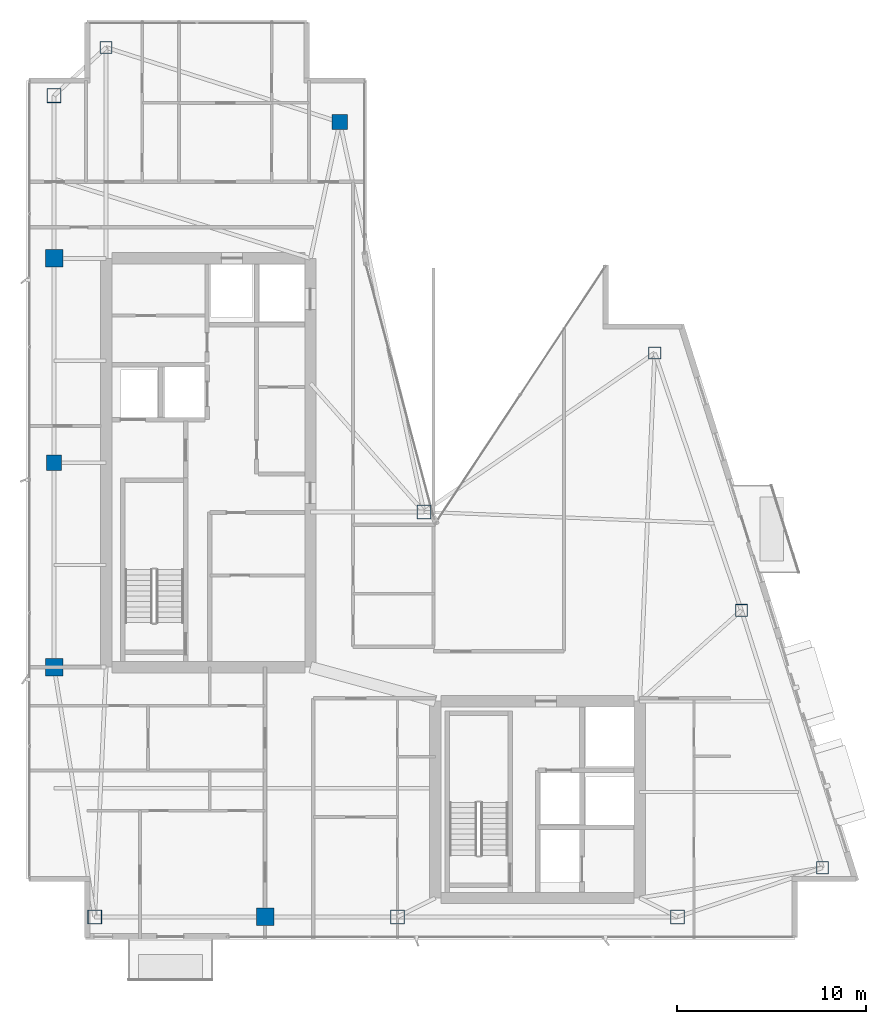
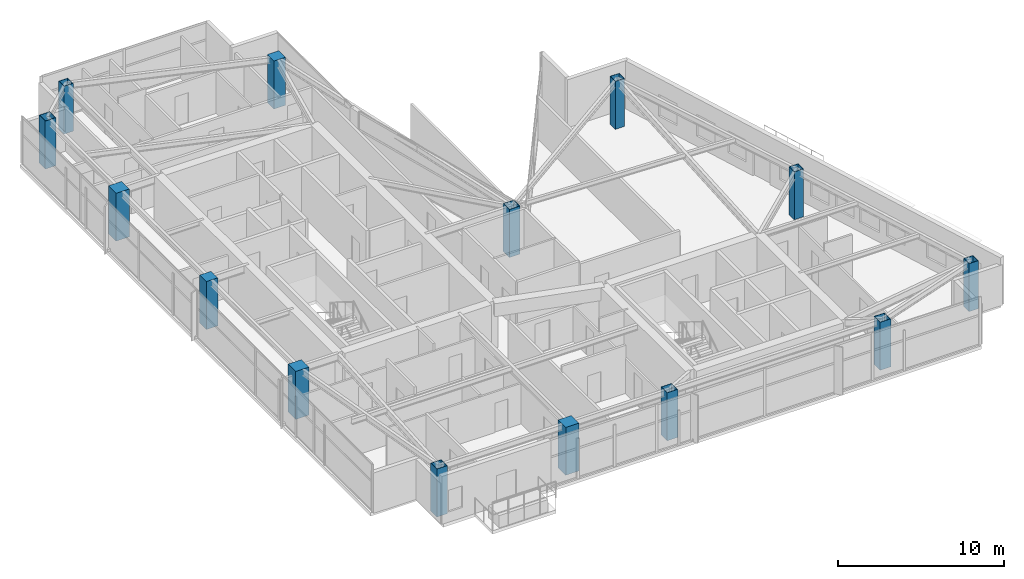
# One storey, part 1 of 27: 14 columns.
"""IFC4 building model written with IfcOpenShell, lengths in metres."""

from ifc_helpers import new_model, si_unit, direction, frame, origin, origin_2d, place, context, subcontext, project, spatial, rectangle, hollow_rectangle, extrude, material, material_profile, profile_set, type_object, element, save


model = new_model("IFC4")

# Units and contexts
model_context = context("Model", 3, precision=1e-05, world=origin(), true_north=direction((0.0, 1.0)))
body_context = subcontext(model_context, "Body", "Model", "MODEL_VIEW")
ifc_project = project(units=[si_unit("LENGTHUNIT", "METRE"), si_unit("AREAUNIT", "SQUARE_METRE"), si_unit("VOLUMEUNIT", "CUBIC_METRE"), si_unit("PLANEANGLEUNIT", "RADIAN"), si_unit("MASSUNIT", "GRAM", prefix="KILO")], contexts=[model_context])

# Site, building, storey
site_placement = place(None, origin())
site = spatial("IfcSite", under=ifc_project, at=site_placement, CompositionType="ELEMENT")
building_placement = place(site_placement, origin())
building = spatial("IfcBuilding", under=site, at=building_placement, Name="Calvorn Quay Hotel", CompositionType="ELEMENT")
storey_placement = place(building_placement, frame((0.0, 0.0, 278.699951171875)))
storey = spatial("IfcBuildingStorey", under=building, at=storey_placement, Name="L69", CompositionType="ELEMENT", Elevation=278.699951171875)

# Columns
ifc_material_1 = material(Name="Concrete C45", Category="concrete")
ifc_material_profile_1 = material_profile(ifc_material_1, rectangle(XDim=0.800048828125, YDim=0.800048828125, at=origin_2d()), Name="RC800x800")
ifc_profile_set_1 = profile_set([ifc_material_profile_1], Name="Concrete C45")
column_type_1 = type_object("IfcColumnType", Name="COL-RC-800", PredefinedType="COLUMN", material=ifc_profile_set_1)
for number, where, z_axis, x_axis, name in (
    (1, (1.449951171875, 27.60009765625, 0.0), (0.0, 0.0, 1.0), (1.0, 0.0, 0.0), "Column C-W3 (L69)"),
    (2, (16.550048828125, 45.60009765625, 0.0), (0.0, 0.0, 1.0), (1.0, 0.0, 0.0), "Column C-IC1 (L69)"),
):
    element("IfcColumn", number, at=place(storey_placement, frame(where, z_axis=z_axis, x_axis=x_axis)), inside=storey, type_object=column_type_1, Name=name, PredefinedType="COLUMN", context=body_context, shape_type="SweptSolid", body=[
        extrude(rectangle(XDim=0.800048828125, YDim=0.800048828125, at=origin_2d()), origin(), (0.0, 0.0, 1.0), 3.52001953125),
    ])
ifc_material_2 = material(Name="Concrete C45", Category="concrete")
ifc_material_profile_2 = material_profile(ifc_material_2, rectangle(XDim=0.919921875, YDim=0.919921875, at=origin_2d()), Name="RC920x920")
ifc_profile_set_2 = profile_set([ifc_material_profile_2], Name="Concrete C45")
column_type_2 = type_object("IfcColumnType", Name="COL-RC-920", PredefinedType="COLUMN", material=ifc_profile_set_2)
for number, where, z_axis, x_axis, name in (
    (3, (1.449951171875, 16.800048828125, 0.0), (0.0, 0.0, 1.0), (1.0, 0.0, 0.0), "Column C-W2 (L69)"),
    (4, (1.449951171875, 38.39990234375, 0.0), (0.0, 0.0, 1.0), (1.0, 0.0, 0.0), "Column C-W4 (L69)"),
    (5, (12.60009765625, 3.60009765625, 0.0), (0.0, 0.0, 1.0), (1.0, 0.0, 0.0), "Column C-S1 (L69)"),
):
    element("IfcColumn", number, at=place(storey_placement, frame(where, z_axis=z_axis, x_axis=x_axis)), inside=storey, type_object=column_type_2, Name=name, PredefinedType="COLUMN", context=body_context, shape_type="SweptSolid", body=[
        extrude(rectangle(XDim=0.919921875, YDim=0.919921875, at=origin_2d()), origin(), (0.0, 0.0, 1.0), 3.52001953125),
    ])
ifc_material_3 = material(Name="Steel Q390GJC", Category="steel")
ifc_material_profile_3 = material_profile(ifc_material_3, hollow_rectangle(XDim=0.75, YDim=0.75, WallThickness=0.031982421875, at=origin_2d()), Name="BOX750x750x32")
ifc_profile_set_3 = profile_set([ifc_material_profile_3], Name="Steel Q390GJC")
column_type_3 = type_object("IfcColumnType", Name="COL-STL-Z3", PredefinedType="COLUMN", material=ifc_profile_set_3)
for number, where, z_axis, x_axis, name in (
    (6, (3.60009765625, 3.60009765625, 0.0), (0.0, 0.0, 1.0), (1.0, 0.0, 0.0), "Column C-W1 (L69)"),
    (7, (1.449951171875, 47.0, 0.0), (0.0, 0.0, 1.0), (1.0, 0.0, 0.0), "Column C-W5 (L69)"),
    (8, (21.0, 25.0, 0.0), (0.0, 0.0, 1.0), (1.0, 0.0, 0.0), "Column C-IC2 (L69)"),
    (9, (19.60009765625, 3.60009765625, 0.0), (0.0, 0.0, 1.0), (1.0, 0.0, 0.0), "Column C-S2 (L69)"),
    (10, (34.39990234375, 3.60009765625, 0.0), (0.0, 0.0, 1.0), (1.0, 0.0, 0.0), "Column C-S3 (L69)"),
):
    element("IfcColumn", number, at=place(storey_placement, frame(where, z_axis=z_axis, x_axis=x_axis)), inside=storey, type_object=column_type_3, Name=name, PredefinedType="COLUMN", context=body_context, shape_type="SweptSolid", body=[
        extrude(hollow_rectangle(XDim=0.75, YDim=0.75, WallThickness=0.031982421875, at=origin_2d()), origin(), (0.0, 0.0, 1.0), 3.52001953125),
    ])
ifc_material_4 = material(Name="Steel Q355B", Category="steel")
ifc_material_profile_4 = material_profile(ifc_material_4, hollow_rectangle(XDim=0.64990234375, YDim=0.64990234375, WallThickness=0.028076171875, at=origin_2d()), Name="BOX650x650x28")
ifc_profile_set_4 = profile_set([ifc_material_profile_4], Name="Steel Q355B")
column_type_4 = type_object("IfcColumnType", Name="COL-STL-Z4", PredefinedType="COLUMN", material=ifc_profile_set_4)
for number, where, z_axis, x_axis, name in (
    (11, (4.199951171875, 49.550048828125, 0.0), (0.0, 0.0, 1.0), (1.0, 0.0, 0.0), "Column C-NW1 (L69)"),
    (12, (42.06103515625, 6.199951171875, 0.0), (0.0, 0.0, 1.0), (1.0, 0.0, 0.0), "Column C-ET1 (L69)"),
    (13, (37.77587890625, 19.800048828125, 0.0), (0.0, 0.0, 1.0), (1.0, 0.0, 0.0), "Column C-ET2 (L69)"),
    (14, (33.19091796875, 33.39990234375, 0.0), (0.0, 0.0, 1.0), (1.0, 0.0, 0.0), "Column C-ET3 (L69)"),
):
    element("IfcColumn", number, at=place(storey_placement, frame(where, z_axis=z_axis, x_axis=x_axis)), inside=storey, type_object=column_type_4, Name=name, PredefinedType="COLUMN", context=body_context, shape_type="SweptSolid", body=[
        extrude(hollow_rectangle(XDim=0.64990234375, YDim=0.64990234375, WallThickness=0.028076171875, at=origin_2d()), origin(), (0.0, 0.0, 1.0), 3.52001953125),
    ])

save(model, "model.ifc")
